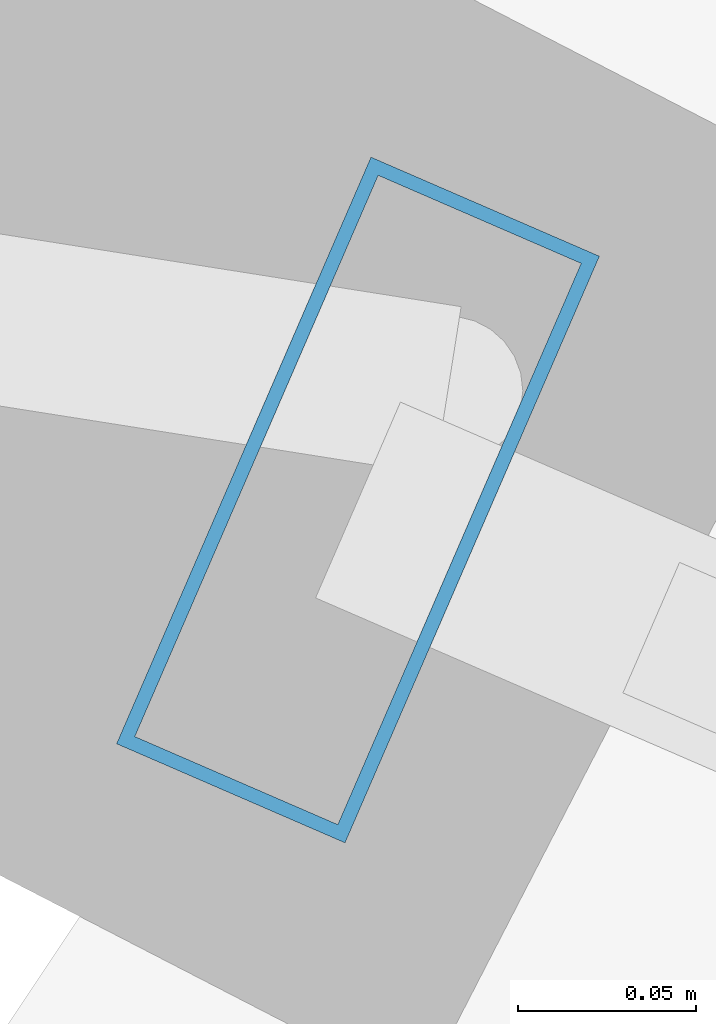
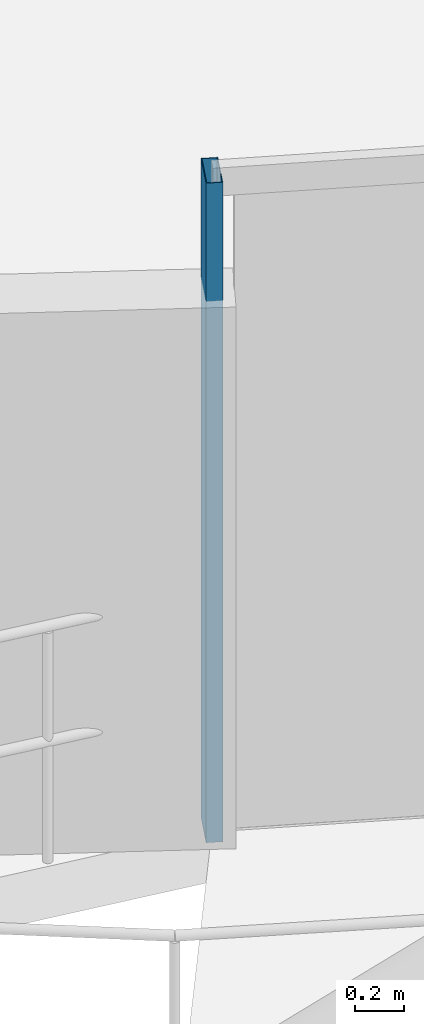
# One storey, part 2 of 20: 1 member, 1 element without a shape of its own.
"""IFC4 building model written with IfcOpenShell, lengths in metres."""

from ifc_helpers import new_model, si_unit, direction, frame, origin, origin_2d, place, context, subcontext, project, spatial, hollow_rectangle, extrude, material, layer, layer_set, material_profile, profile_set, type_object, element, aggregate, save


model = new_model("IFC4")

# Units and contexts
model_context = context("Model", 3, precision=1e-05, world=origin(), true_north=direction((0.0, 1.0)))
body_context = subcontext(model_context, "Body", "Model", "MODEL_VIEW")
ifc_project = project(units=[si_unit("LENGTHUNIT", "METRE"), si_unit("AREAUNIT", "SQUARE_METRE"), si_unit("VOLUMEUNIT", "CUBIC_METRE"), si_unit("PLANEANGLEUNIT", "RADIAN"), si_unit("MASSUNIT", "GRAM", prefix="KILO")], contexts=[model_context])

# Site, building, storey
site_placement = place(None, origin())
site = spatial("IfcSite", under=ifc_project, at=site_placement, CompositionType="ELEMENT")
building_placement = place(site_placement, origin())
building = spatial("IfcBuilding", under=site, at=building_placement, Name="Veldorina Hangang Commons", CompositionType="ELEMENT")
storey_placement = place(building_placement, frame((0.0, 0.0, 84.39990234375)))
storey = spatial("IfcBuildingStorey", under=building, at=storey_placement, Name="L21", CompositionType="ELEMENT", Elevation=84.39990234375)

# Curtain wall, member
ifc_material_1 = material(Name="Glass Low-E Triple IGU", Category="glass")
ifc_layer = layer(ifc_material_1, 0.179931640625)
ifc_layer_set = layer_set([ifc_layer], Name="Glass Low-E Triple IGU")
curtain_wall_type = type_object("IfcCurtainWallType", Name="CW-SYS-Z1", PredefinedType="NOTDEFINED", material=ifc_layer_set)
curtain_wall_placement = place(storey_placement, origin())
curtain_wall = element("IfcCurtainWall", 1, at=curtain_wall_placement, inside=storey, type_object=curtain_wall_type, Name="L21 unitised curtain wall CW-L21-R1", PredefinedType="NOTDEFINED")
ifc_material_2 = material(Name="Aluminium Anodized AA6063-T6", Category="aluminium")
ifc_material_profile = material_profile(ifc_material_2, hollow_rectangle(XDim=0.070068359375, YDim=0.179931640625, WallThickness=0.00390625, at=origin_2d()), Name="ALU-RHS-180x70x4")
ifc_profile_set = profile_set([ifc_material_profile], Name="Aluminium Anodized AA6063-T6")
member_type = type_object("IfcMemberType", Name="CW-MUL-180", PredefinedType="MULLION", material=ifc_profile_set)
member_placement = place(storey_placement, frame((17.30029296875, 6.15234375, 0.0), z_axis=(0.0, 0.0, 1.0), x_axis=(0.91744936741, -0.397852558416, 0.0)))
member = element("IfcMember", 2, at=member_placement, type_object=member_type, Name="CW-L21-R1 vertical mullion 1", PredefinedType="MULLION", context=body_context, shape_type="SweptSolid", body=[
    extrude(hollow_rectangle(XDim=0.070068359375, YDim=0.179931640625, WallThickness=0.00390625, at=origin_2d()), origin(), (0.0, 0.0, 1.0), 3.300048828125),
])
aggregate(curtain_wall, [member])

save(model, "model.ifc")
